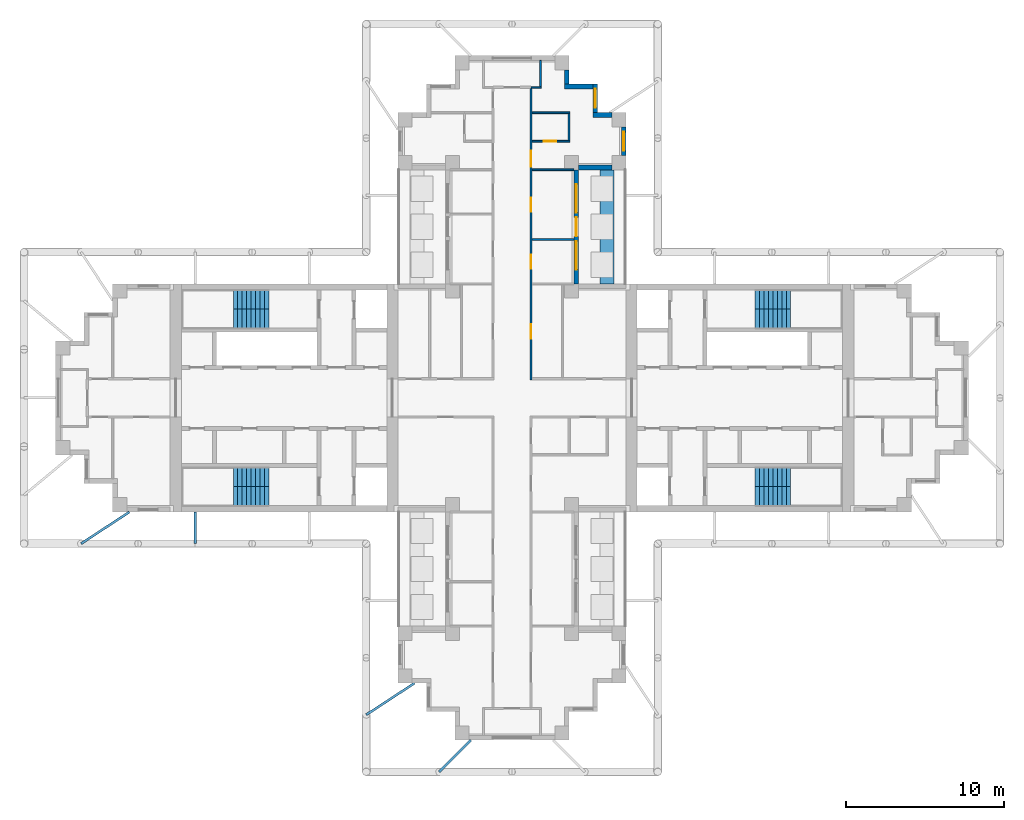
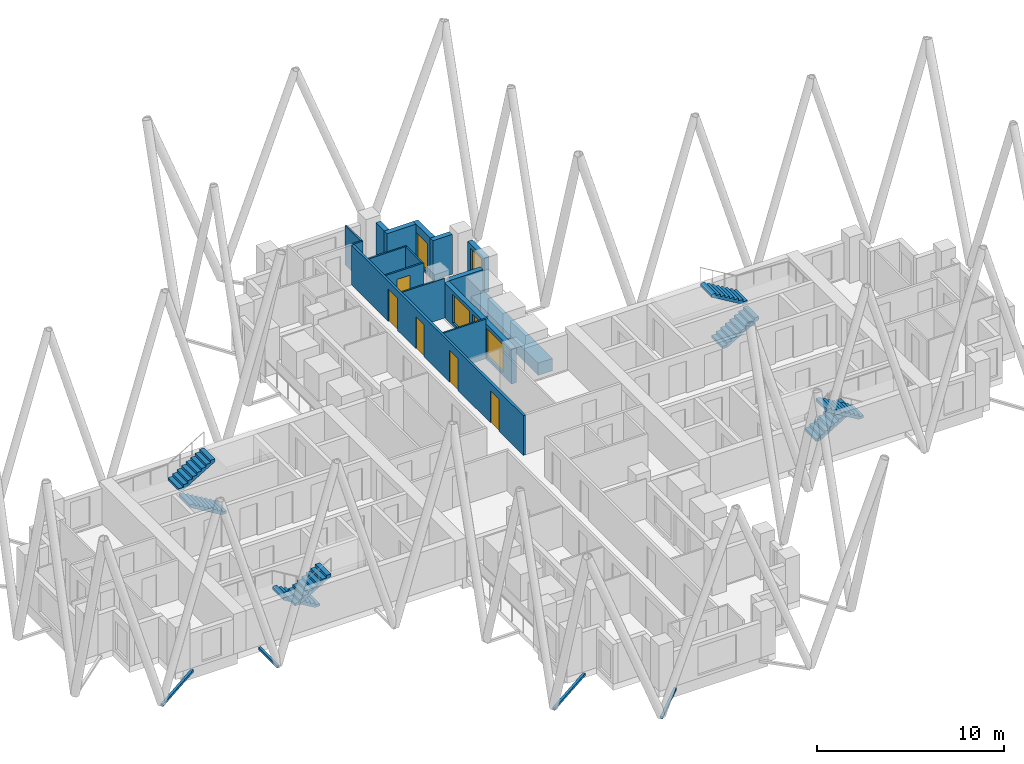
# One storey, part 8 of 11: 16 walls, 8 stair flights, 6 doors, 4 discrete accessories, 4 windows, 10 openings, 4 elements without a shape of their own.
"""IFC4 building model written with IfcOpenShell, lengths in metres."""

import ifcopenshell
import ifcopenshell.guid

model = None  # the IFC model being written
_history = None  # IfcOwnerHistory: only IFC2X3 demands one
_inside = {}  # id of a spatial element -> (the spatial element, [elements in it])
_under = {}  # id of a project, library or spatial element -> (it, [spatial elements below it])
_declared = {}  # id of a project -> (the project, [libraries it declares])
_typed = {}  # id of a type object -> (the type object, [elements of that type])
_made_of = {}  # id of a material, layer set ... -> (it, [elements and type objects made of it])


def new_model(schema):
    """Start an empty IFC model of exactly this schema.

    Asked for "IFC4X3", IfcOpenShell would pick the latest addendum, in which some entities
    have other attributes; the version numbers below select the first issue.
    IFC2X3 requires an IfcOwnerHistory on every rooted entity: one is made here for all.
    """
    global model, _history
    if schema == "IFC4X3":
        model = ifcopenshell.file(schema_version=(4, 3, 0, 0))
    else:
        model = ifcopenshell.file(schema=schema)
    _inside.clear()
    _under.clear()
    _declared.clear()
    _typed.clear()
    _made_of.clear()
    _history = None
    if model.schema == "IFC2X3":
        org = make("IfcOrganization", Name="unknown")
        user = make(
            "IfcPersonAndOrganization",
            ThePerson=make("IfcPerson", FamilyName="unknown"),
            TheOrganization=org,
        )
        app = make(
            "IfcApplication",
            ApplicationDeveloper=org,
            Version="unknown",
            ApplicationFullName="unknown",
            ApplicationIdentifier="unknown",
        )
        _history = make(
            "IfcOwnerHistory",
            OwningUser=user,
            OwningApplication=app,
            ChangeAction="ADDED",
            CreationDate=0,
        )
    return model


def make(cls, **values):
    """One entity of the class cls with the attributes given. An attribute that is None is left unset."""
    return model.create_entity(
        cls, **{name: value for name, value in values.items() if value is not None}
    )


def rooted(cls, **values):
    """An entity with a GlobalId (a new one), such as an element, a storey or a relation."""
    return make(cls, GlobalId=ifcopenshell.guid.new(), OwnerHistory=_history, **values)


def si_unit(unit_type, name, prefix=None):
    """IfcSIUnit, for example si_unit("LENGTHUNIT", "METRE", prefix="MILLI")."""
    return make("IfcSIUnit", UnitType=unit_type, Prefix=prefix, Name=name)


def assignment(units):
    """IfcUnitAssignment: the units of a project."""
    return None if units is None else make("IfcUnitAssignment", Units=units)


def point(xyz):
    """IfcCartesianPoint."""
    return None if xyz is None else make("IfcCartesianPoint", Coordinates=xyz)


def direction(xyz):
    """IfcDirection."""
    return None if xyz is None else make("IfcDirection", DirectionRatios=xyz)


def frame(location, z_axis=None, x_axis=None):
    """IfcAxis2Placement3D, a coordinate frame: its origin and axes. An axis left out is left unset."""
    return make(
        "IfcAxis2Placement3D",
        Location=point(location),
        Axis=direction(z_axis),
        RefDirection=direction(x_axis),
    )


def frame_2d(location, x_axis=None):
    """IfcAxis2Placement2D, a coordinate frame in the plane: its origin and x axis."""
    return make(
        "IfcAxis2Placement2D", Location=point(location), RefDirection=direction(x_axis)
    )


def origin():
    """The frame at (0, 0, 0) with its axes left unset."""
    return frame((0.0, 0.0, 0.0))


def origin_2d():
    """The frame at (0, 0) in the plane with its x axis left unset."""
    return frame_2d((0.0, 0.0))


def place(relative_to, where):
    """IfcLocalPlacement: puts the frame where relative to a parent placement (None: the world)."""
    return make(
        "IfcLocalPlacement", PlacementRelTo=relative_to, RelativePlacement=where
    )


def context(
    kind, dimensions, precision=None, world=None, true_north=None, identifier=None
):
    """IfcGeometricRepresentationContext, for example the 3D "Model" context."""
    return make(
        "IfcGeometricRepresentationContext",
        ContextIdentifier=identifier,
        ContextType=kind,
        CoordinateSpaceDimension=dimensions,
        Precision=precision,
        WorldCoordinateSystem=world,
        TrueNorth=true_north,
    )


def subcontext(parent, identifier, kind, view, scale=None):
    """IfcGeometricRepresentationSubContext, for example "Body" below "Model"."""
    return make(
        "IfcGeometricRepresentationSubContext",
        ContextIdentifier=identifier,
        ContextType=kind,
        ParentContext=parent,
        TargetScale=scale,
        TargetView=view,
    )


def project(units=None, contexts=None):
    """IfcProject with its units and contexts."""
    return rooted(
        "IfcProject",
        Name="project",
        RepresentationContexts=contexts,
        UnitsInContext=assignment(units),
    )


def spatial(cls, under=None, at=None, **own):
    """A site, building, storey or space (cls), placed at a placement, below another one or the project."""
    s = rooted(cls, ObjectPlacement=at, **own)
    if under is not None:
        _under.setdefault(under.id(), (under, []))[1].append(s)
    return s


def polyline(points):
    """IfcPolyline through the points."""
    return make("IfcPolyline", Points=[point(p) for p in points])


def profile(cls, at=None, kind="AREA", **sizes):
    """A parametric profile (cls). Its sizes go by their IFC names, for example OverallWidth=200.0."""
    return make(cls, ProfileType=kind, Position=at, **sizes)


def rectangle(**sizes):
    """IfcRectangleProfileDef."""
    return profile("IfcRectangleProfileDef", **sizes)


def hollow_rectangle(**sizes):
    """IfcRectangleHollowProfileDef."""
    return profile("IfcRectangleHollowProfileDef", **sizes)


def outline(outer, holes=None, kind="AREA"):
    """IfcArbitraryClosedProfileDef: a profile drawn as a closed curve; with holes, ...WithVoids."""
    if holes is None:
        return make("IfcArbitraryClosedProfileDef", ProfileType=kind, OuterCurve=outer)
    return make(
        "IfcArbitraryProfileDefWithVoids",
        ProfileType=kind,
        OuterCurve=outer,
        InnerCurves=holes,
    )


def extrude(swept, where, along, depth):
    """IfcExtrudedAreaSolid: the profile swept, set in the frame where, extruded along a direction by depth."""
    return make(
        "IfcExtrudedAreaSolid",
        SweptArea=swept,
        Position=where,
        ExtrudedDirection=direction(along),
        Depth=depth,
    )


def shape(context_of_items, identifier, shape_type, items):
    """IfcShapeRepresentation: the items that make up one representation, for example the "Body"."""
    return make(
        "IfcShapeRepresentation",
        ContextOfItems=context_of_items,
        RepresentationIdentifier=identifier,
        RepresentationType=shape_type,
        Items=items,
    )


def material(Name=None, Category=None):
    """IfcMaterial."""
    return make("IfcMaterial", Name=Name, Category=Category)


def layer(
    of_material, thickness, ventilated=None, Name=None, Category=None, Priority=None
):
    """IfcMaterialLayer: one layer of a wall or slab, of a material (None: an air gap)."""
    return make(
        "IfcMaterialLayer",
        Material=of_material,
        LayerThickness=thickness,
        IsVentilated=ventilated,
        Name=Name,
        Category=Category,
        Priority=Priority,
    )


def layer_set(layers, Name=None):
    """IfcMaterialLayerSet."""
    return make("IfcMaterialLayerSet", MaterialLayers=layers, LayerSetName=Name)


def made_of(thing, what):
    """Note that an element or type object is made of a material, layer set ...; save() writes the relation."""
    if what is not None:
        _made_of.setdefault(what.id(), (what, []))[1].append(thing)
    return thing


def type_object(cls, material=None, **own):
    """A type object (cls), such as IfcWallType, which elements share."""
    return made_of(rooted(cls, **own), material)


def element(
    cls,
    number,
    at=None,
    inside=None,
    cuts=None,
    type_object=None,
    material=None,
    context=None,
    identifier="Body",
    shape_type=None,
    held_by="IfcProductDefinitionShape",
    body=None,
    shapes=None,
    **own,
):
    """One element of the class cls, such as IfcWall. Its Tag is "e" and its number.

    at: its placement. inside: the storey or other place that contains it. cuts: it is an
    opening in that element (IfcRelVoidsElement). A single representation is given by context,
    identifier, shape_type and body (its items); several are given by shapes. held_by: the class
    of the entity that holds the representations. save() writes the other relations.
    """
    e = rooted(cls, Tag="e%d" % number, ObjectPlacement=at, **own)
    if body is not None:
        shapes = [shape(context, identifier, shape_type, body)]
    if shapes is not None:
        e.Representation = make(held_by, Representations=shapes)
    if inside is not None:
        _inside.setdefault(inside.id(), (inside, []))[1].append(e)
    if cuts is not None:
        rooted(
            "IfcRelVoidsElement", RelatingBuildingElement=cuts, RelatedOpeningElement=e
        )
    if type_object is not None:
        _typed.setdefault(type_object.id(), (type_object, []))[1].append(e)
    return made_of(e, material)


def fill(opening, filler):
    """IfcRelFillsElement: the door or window that sits in an opening."""
    return rooted(
        "IfcRelFillsElement",
        RelatingOpeningElement=opening,
        RelatedBuildingElement=filler,
    )


def aggregate(whole, parts):
    """IfcRelAggregates: a whole, such as a stair, and the parts it consists of."""
    return rooted("IfcRelAggregates", RelatingObject=whole, RelatedObjects=parts)


def save(model, path):
    """Write the relations noted so far, then the file.

    IfcRelAggregates (storeys below a building ...), IfcRelContainedInSpatialStructure (elements
    in a storey), IfcRelDefinesByType, IfcRelAssociatesMaterial and IfcRelDeclares: one each for
    every whole, place, type object, material and project.
    """
    for whole, parts in _under.values():
        aggregate(whole, parts)
    for where, things in _inside.values():
        rooted(
            "IfcRelContainedInSpatialStructure",
            RelatedElements=things,
            RelatingStructure=where,
        )
    for kind, things in _typed.values():
        rooted("IfcRelDefinesByType", RelatedObjects=things, RelatingType=kind)
    for what, things in _made_of.values():
        rooted("IfcRelAssociatesMaterial", RelatedObjects=things, RelatingMaterial=what)
    for by, libraries in _declared.values():
        rooted("IfcRelDeclares", RelatingContext=by, RelatedDefinitions=libraries)
    model.write(path)


model = new_model("IFC4")

# Units and contexts
model_context = context("Model", 3, precision=1e-05, world=origin(), true_north=direction((0.0, 1.0)))
body_context = subcontext(model_context, "Body", "Model", "MODEL_VIEW")
ifc_project = project(units=[si_unit("LENGTHUNIT", "METRE"), si_unit("AREAUNIT", "SQUARE_METRE"), si_unit("VOLUMEUNIT", "CUBIC_METRE"), si_unit("PLANEANGLEUNIT", "RADIAN"), si_unit("MASSUNIT", "GRAM", prefix="KILO")], contexts=[model_context])

# Site, building, storey
site_placement = place(None, origin())
site = spatial("IfcSite", under=ifc_project, at=site_placement, CompositionType="ELEMENT")
building_placement = place(site_placement, origin())
building = spatial("IfcBuilding", under=site, at=building_placement, Name="Fustian Cross Tower", CompositionType="ELEMENT")
storey_placement = place(building_placement, frame((0.0, 0.0, 210.89990234375)))
storey = spatial("IfcBuildingStorey", under=building, at=storey_placement, Name="L66", CompositionType="ELEMENT", Elevation=210.89990234375)

# Wall, openings, doors
ifc_material_1 = material(Name="Plasterboard on steel stud", Category="steel")
ifc_layer_1 = layer(ifc_material_1, 0.14990234375)
ifc_layer_set_1 = layer_set([ifc_layer_1], Name="Plasterboard on steel stud")
wall_type_1 = type_object("IfcWallType", Name="COMPARTMENT WALL 150 EI 60", PredefinedType="PARTITIONING", material=ifc_layer_set_1)
wall_1_placement = place(storey_placement, frame((1.199951171875, 1.125, 0.0), z_axis=(0.0, 0.0, 1.0), x_axis=(0.0, 1.0, 0.0)))
wall_1 = element("IfcWall", 1, at=wall_1_placement, inside=storey, type_object=wall_type_1, Name="Partition 38", PredefinedType="PARTITIONING", context=body_context, shape_type="SweptSolid", body=[
    extrude(rectangle(XDim=18.39990234375, YDim=0.14990234375, at=frame_2d((9.199951171875, 0.0))), origin(), (0.0, 0.0, 1.0), 2.60009765625),
])
opening_1_placement = place(wall_1_placement, frame((2.625, 0.0, 0.0)))
opening_1 = element("IfcOpeningElement", 2, at=opening_1_placement, cuts=wall_1, Name="Opening D30001", PredefinedType="OPENING", context=body_context, shape_type="SweptSolid", body=[
    extrude(rectangle(XDim=0.89990234375, YDim=2.10009765625, at=frame_2d((0.449951171875, 1.050048828125))), frame((0.0, 0.0849609375, 0.0), z_axis=(0.0, -1.0, 0.0), x_axis=(1.0, 0.0, 0.0)), (0.0, 0.0, 1.0), 0.169921875),
])
opening_2_placement = place(wall_1_placement, frame((7.02490234375, 0.0, 0.0)))
opening_2 = element("IfcOpeningElement", 3, at=opening_2_placement, cuts=wall_1, Name="Opening D30021", PredefinedType="OPENING", context=body_context, shape_type="SweptSolid", body=[
    extrude(rectangle(XDim=0.89990234375, YDim=2.10009765625, at=frame_2d((0.449951171875, 1.050048828125))), frame((0.0, 0.0849609375, 0.0), z_axis=(0.0, -1.0, 0.0), x_axis=(1.0, 0.0, 0.0)), (0.0, 0.0, 1.0), 0.169921875),
])
opening_3_placement = place(wall_1_placement, frame((10.625, 0.0, 0.0)))
opening_3 = element("IfcOpeningElement", 4, at=opening_3_placement, cuts=wall_1, Name="Opening D30022", PredefinedType="OPENING", context=body_context, shape_type="SweptSolid", body=[
    extrude(rectangle(XDim=0.89990234375, YDim=2.10009765625, at=frame_2d((0.449951171875, 1.050048828125))), frame((0.0, 0.0849609375, 0.0), z_axis=(0.0, -1.0, 0.0), x_axis=(1.0, 0.0, 0.0)), (0.0, 0.0, 1.0), 0.169921875),
])
opening_4_placement = place(wall_1_placement, frame((13.47509765625, 0.0, 0.0)))
opening_4 = element("IfcOpeningElement", 5, at=opening_4_placement, cuts=wall_1, Name="Opening D30024", PredefinedType="OPENING", context=body_context, shape_type="SweptSolid", body=[
    extrude(rectangle(XDim=1.0, YDim=2.10009765625, at=frame_2d((0.5, 1.050048828125))), frame((0.0, 0.0849609375, 0.0), z_axis=(0.0, -1.0, 0.0), x_axis=(1.0, 0.0, 0.0)), (0.0, 0.0, 1.0), 0.169921875),
])
ifc_material_2 = material(Name="Timber fire door set", Category="wood")
door_type_1 = type_object("IfcDoorType", Name="FIRE SWING DOOR 1000 FD30S", OperationType="SINGLE_SWING_LEFT", PredefinedType="DOOR", material=ifc_material_2)
door_1_placement = place(opening_4_placement, frame((1.0, 0.0, 0.0), z_axis=(0.0, 0.0, 1.0), x_axis=(-1.0, 0.0, 0.0)))
door_1 = element("IfcDoor", 6, at=door_1_placement, inside=storey, type_object=door_type_1, Name="Door D30024", OperationType="SINGLE_SWING_RIGHT", OverallHeight=2.10009765625, OverallWidth=1.0, PredefinedType="DOOR", context=body_context, shape_type="SweptSolid", body=[
    extrude(rectangle(XDim=1.0, YDim=2.10009765625, at=frame_2d((0.5, 1.050048828125))), frame((0.0, 0.02490234375, 0.0), z_axis=(0.0, -1.0, 0.0), x_axis=(1.0, 0.0, 0.0)), (0.0, 0.0, 1.0), 0.050048828125),
])
fill(opening_4, door_1)
ifc_material_3 = material(Name="Timber fire door set", Category="wood")
door_type_2 = type_object("IfcDoorType", Name="FIRE SWING DOOR 900 FD30S", OperationType="SINGLE_SWING_LEFT", PredefinedType="DOOR", material=ifc_material_3)
door_2_placement = place(opening_1_placement, frame((0.89990234375, 0.0, 0.0), z_axis=(0.0, 0.0, 1.0), x_axis=(-1.0, 0.0, 0.0)))
door_2 = element("IfcDoor", 7, at=door_2_placement, inside=storey, type_object=door_type_2, Name="Door D30001", OperationType="SINGLE_SWING_RIGHT", OverallHeight=2.10009765625, OverallWidth=0.89990234375, PredefinedType="DOOR", context=body_context, shape_type="SweptSolid", body=[
    extrude(rectangle(XDim=0.89990234375, YDim=2.10009765625, at=frame_2d((0.449951171875, 1.050048828125))), frame((0.0, 0.02490234375, 0.0), z_axis=(0.0, -1.0, 0.0), x_axis=(1.0, 0.0, 0.0)), (0.0, 0.0, 1.0), 0.050048828125),
])
fill(opening_1, door_2)
door_3_placement = place(opening_2_placement, frame((0.89990234375, 0.0, 0.0), z_axis=(0.0, 0.0, 1.0), x_axis=(-1.0, 0.0, 0.0)))
door_3 = element("IfcDoor", 8, at=door_3_placement, inside=storey, type_object=door_type_2, Name="Door D30021", OperationType="SINGLE_SWING_RIGHT", OverallHeight=2.10009765625, OverallWidth=0.89990234375, PredefinedType="DOOR", context=body_context, shape_type="SweptSolid", body=[
    extrude(rectangle(XDim=0.89990234375, YDim=2.10009765625, at=frame_2d((0.449951171875, 1.050048828125))), frame((0.0, 0.02490234375, 0.0), z_axis=(0.0, -1.0, 0.0), x_axis=(1.0, 0.0, 0.0)), (0.0, 0.0, 1.0), 0.050048828125),
])
fill(opening_2, door_3)
door_4_placement = place(opening_3_placement, frame((0.89990234375, 0.0, 0.0), z_axis=(0.0, 0.0, 1.0), x_axis=(-1.0, 0.0, 0.0)))
door_4 = element("IfcDoor", 9, at=door_4_placement, inside=storey, type_object=door_type_2, Name="Door D30022", OperationType="SINGLE_SWING_RIGHT", OverallHeight=2.10009765625, OverallWidth=0.89990234375, PredefinedType="DOOR", context=body_context, shape_type="SweptSolid", body=[
    extrude(rectangle(XDim=0.89990234375, YDim=2.10009765625, at=frame_2d((0.449951171875, 1.050048828125))), frame((0.0, 0.02490234375, 0.0), z_axis=(0.0, -1.0, 0.0), x_axis=(1.0, 0.0, 0.0)), (0.0, 0.0, 1.0), 0.050048828125),
])
fill(opening_3, door_4)

# Walls
ifc_material_4 = material(Name="Plasterboard on steel stud", Category="steel")
ifc_layer_2 = layer(ifc_material_4, 0.10009765625)
ifc_layer_set_2 = layer_set([ifc_layer_2], Name="Plasterboard on steel stud")
wall_type_2 = type_object("IfcWallType", Name="PARTITION 100 STUD", PredefinedType="PARTITIONING", material=ifc_layer_set_2)
for number, where, z_axis, x_axis, name in (
    (10, (1.27490234375, 10.0, 0.0), (0.0, 0.0, 1.0), (1.0, 0.0, 0.0), "Partition 41"),
    (11, (1.27490234375, 14.39990234375, 0.0), (0.0, 0.0, 1.0), (1.0, 0.0, 0.0), "Partition 42"),
):
    element("IfcWall", number, at=place(storey_placement, frame(where, z_axis=z_axis, x_axis=x_axis)), inside=storey, type_object=wall_type_2, Name=name, PredefinedType="PARTITIONING", context=body_context, shape_type="SweptSolid", body=[
        extrude(rectangle(XDim=2.625, YDim=0.10009765625, at=frame_2d((1.3125, 0.0))), origin(), (0.0, 0.0, 1.0), 2.60009765625),
    ])

# Wall, opening, door
wall_2_placement = place(storey_placement, frame((1.27490234375, 16.199951171875, 0.0), z_axis=(0.0, 0.0, 1.0), x_axis=(1.0, 0.0, 0.0)))
wall_2 = element("IfcWall", 12, at=wall_2_placement, inside=storey, type_object=wall_type_2, Name="Partition 43", PredefinedType="PARTITIONING", context=body_context, shape_type="SweptSolid", body=[
    extrude(rectangle(XDim=2.375, YDim=0.10009765625, at=frame_2d((1.1875, 0.0))), origin(), (0.0, 0.0, 1.0), 2.60009765625),
])
opening_5_placement = place(wall_2_placement, frame((0.72509765625, 0.0, 0.0)))
opening_5 = element("IfcOpeningElement", 13, at=opening_5_placement, cuts=wall_2, Name="Opening D30023", PredefinedType="OPENING", context=body_context, shape_type="SweptSolid", body=[
    extrude(rectangle(XDim=0.800048828125, YDim=2.10009765625, at=frame_2d((0.39990234375, 1.050048828125))), frame((0.0, 0.06005859375, 0.0), z_axis=(0.0, -1.0, 0.0), x_axis=(1.0, 0.0, 0.0)), (0.0, 0.0, 1.0), 0.1201171875),
])
ifc_material_5 = material(Name="Painted timber", Category="wood")
door_type_3 = type_object("IfcDoorType", Name="SWING DOOR 800", OperationType="SINGLE_SWING_LEFT", PredefinedType="DOOR", material=ifc_material_5)
door_5_placement = place(opening_5_placement, origin())
door_5 = element("IfcDoor", 14, at=door_5_placement, inside=storey, type_object=door_type_3, Name="Door D30023", OperationType="SINGLE_SWING_LEFT", OverallHeight=2.10009765625, OverallWidth=0.800048828125, PredefinedType="DOOR", context=body_context, shape_type="SweptSolid", body=[
    extrude(rectangle(XDim=0.800048828125, YDim=2.10009765625, at=frame_2d((0.39990234375, 1.050048828125))), frame((0.0, 0.02490234375, 0.0), z_axis=(0.0, -1.0, 0.0), x_axis=(1.0, 0.0, 0.0)), (0.0, 0.0, 1.0), 0.050048828125),
])
fill(opening_5, door_5)

# Walls
wall_3_placement = place(storey_placement, frame((1.27490234375, 18.0, 0.0), z_axis=(0.0, 0.0, 1.0), x_axis=(1.0, 0.0, 0.0)))
element("IfcWall", 15, at=wall_3_placement, inside=storey, type_object=wall_type_2, Name="Partition 44", PredefinedType="PARTITIONING", context=body_context, shape_type="SweptSolid", body=[
    extrude(rectangle(XDim=2.375, YDim=0.10009765625, at=frame_2d((1.1875, 0.0))), origin(), (0.0, 0.0, 1.0), 2.60009765625),
])
wall_4_placement = place(storey_placement, frame((1.199951171875, 19.60009765625, 0.0), z_axis=(0.0, 0.0, 1.0), x_axis=(1.0, 0.0, 0.0)))
element("IfcWall", 16, at=wall_4_placement, inside=storey, type_object=wall_type_2, Name="Partition 45", PredefinedType="PARTITIONING", context=body_context, shape_type="SweptSolid", body=[
    extrude(rectangle(XDim=0.650146484375, YDim=0.10009765625, at=frame_2d((0.3251953125, 0.0))), origin(), (0.0, 0.0, 1.0), 2.60009765625),
])
wall_5_placement = place(storey_placement, frame((1.800048828125, 19.64990234375, 0.0), z_axis=(0.0, 0.0, 1.0), x_axis=(0.0, 1.0, 0.0)))
element("IfcWall", 17, at=wall_5_placement, inside=storey, type_object=wall_type_2, Name="Partition 47", PredefinedType="PARTITIONING", context=body_context, shape_type="SweptSolid", body=[
    extrude(rectangle(XDim=1.650146484375, YDim=0.10009765625, at=frame_2d((0.8251953125, 0.0))), origin(), (0.0, 0.0, 1.0), 2.60009765625),
])
wall_6_placement = place(storey_placement, frame((3.60009765625, 16.25, 0.0), z_axis=(0.0, 0.0, 1.0), x_axis=(0.0, 1.0, 0.0)))
element("IfcWall", 18, at=wall_6_placement, inside=storey, type_object=wall_type_2, Name="Partition 50", PredefinedType="PARTITIONING", context=body_context, shape_type="SweptSolid", body=[
    extrude(rectangle(XDim=1.699951171875, YDim=0.10009765625, at=frame_2d((0.85009765625, 0.0))), origin(), (0.0, 0.0, 1.0), 2.60009765625),
])
ifc_material_6 = material(Name="Concrete C40/50", Category="concrete")
ifc_layer_3 = layer(ifc_material_6, 0.89990234375)
ifc_layer_set_3 = layer_set([ifc_layer_3], Name="Concrete C40/50")
wall_type_3 = type_object("IfcWallType", Name="PK1 PLANTER 900", PredefinedType="PARAPET", material=ifc_layer_set_3)
wall_7_placement = place(storey_placement, frame((6.0, 7.199951171875, 0.0), z_axis=(0.0, 0.0, 1.0), x_axis=(0.0, 1.0, 0.0)))
element("IfcWall", 19, at=wall_7_placement, inside=storey, type_object=wall_type_3, Name="PLANTER", PredefinedType="PARAPET", context=body_context, shape_type="SweptSolid", body=[
    extrude(rectangle(XDim=7.199951171875, YDim=0.89990234375, at=frame_2d((3.60009765625, 0.0))), origin(), (0.0, 0.0, 1.0), 0.800048828125),
])

# Wall, openings, door, windows
ifc_material_7 = material(Name="Dark aluminium cladding on insulated backing wall", Category="aluminium")
ifc_layer_4 = layer(ifc_material_7, 0.300048828125)
ifc_layer_set_4 = layer_set([ifc_layer_4], Name="Dark aluminium cladding on insulated backing wall")
wall_type_4 = type_object("IfcWallType", Name="XW1 EXTERNAL WALL 300", PredefinedType="SOLIDWALL", material=ifc_layer_set_4)
wall_8_placement = place(storey_placement, frame((4.050048828125, 7.199951171875, 0.0), z_axis=(0.0, 0.0, 1.0), x_axis=(0.0, 1.0, 0.0)))
wall_8 = element("IfcWall", 20, at=wall_8_placement, inside=storey, type_object=wall_type_4, Name="External wall", PredefinedType="SOLIDWALL", context=body_context, shape_type="SweptSolid", body=[
    extrude(rectangle(XDim=7.199951171875, YDim=0.300048828125, at=frame_2d((3.60009765625, 0.0))), origin(), (0.0, 0.0, 1.0), 2.300048828125),
])
opening_6_placement = place(wall_8_placement, frame((3.0, 0.0, 0.0)))
opening_6 = element("IfcOpeningElement", 21, at=opening_6_placement, cuts=wall_8, Name="Opening XD1", PredefinedType="OPENING", context=body_context, shape_type="SweptSolid", body=[
    extrude(rectangle(XDim=1.199951171875, YDim=2.050048828125, at=frame_2d((0.60009765625, 1.02490234375))), frame((0.0, 0.159912109375, 0.0), z_axis=(0.0, -1.0, 0.0), x_axis=(1.0, 0.0, 0.0)), (0.0, 0.0, 1.0), 0.320068359375),
])
opening_7_placement = place(wall_8_placement, frame((0.89990234375, 0.0, 0.199951171875)))
opening_7 = element("IfcOpeningElement", 22, at=opening_7_placement, cuts=wall_8, Name="Opening WN2", PredefinedType="OPENING", context=body_context, shape_type="SweptSolid", body=[
    extrude(rectangle(XDim=1.800048828125, YDim=1.85009765625, at=frame_2d((0.89990234375, 0.925048828125))), frame((0.0, 0.159912109375, 0.0), z_axis=(0.0, -1.0, 0.0), x_axis=(1.0, 0.0, 0.0)), (0.0, 0.0, 1.0), 0.320068359375),
])
opening_8_placement = place(wall_8_placement, frame((4.5, 0.0, 0.199951171875)))
opening_8 = element("IfcOpeningElement", 23, at=opening_8_placement, cuts=wall_8, Name="Opening WN2", PredefinedType="OPENING", context=body_context, shape_type="SweptSolid", body=[
    extrude(rectangle(XDim=1.800048828125, YDim=1.85009765625, at=frame_2d((0.89990234375, 0.925048828125))), frame((0.0, 0.159912109375, 0.0), z_axis=(0.0, -1.0, 0.0), x_axis=(1.0, 0.0, 0.0)), (0.0, 0.0, 1.0), 0.320068359375),
])
ifc_material_8 = material(Name="Dark anodised aluminium and double glazing", Category="aluminium")
door_type_4 = type_object("IfcDoorType", Name="ED1 BALCONY DOOR 1200X2050", OperationType="SINGLE_SWING_LEFT", PredefinedType="DOOR", material=ifc_material_8)
door_6_placement = place(opening_6_placement, origin())
door_6 = element("IfcDoor", 24, at=door_6_placement, inside=storey, type_object=door_type_4, Name="Balcony door", OperationType="SINGLE_SWING_LEFT", OverallHeight=2.050048828125, OverallWidth=1.199951171875, PredefinedType="DOOR", context=body_context, shape_type="SweptSolid", body=[
    extrude(rectangle(XDim=1.199951171875, YDim=2.050048828125, at=frame_2d((0.60009765625, 1.02490234375))), frame((0.0, 0.02490234375, 0.0), z_axis=(0.0, -1.0, 0.0), x_axis=(1.0, 0.0, 0.0)), (0.0, 0.0, 1.0), 0.050048828125),
])
fill(opening_6, door_6)
ifc_material_9 = material(Name="Dark anodised aluminium and double glazing", Category="aluminium")
window_type_1 = type_object("IfcWindowType", Name="WN2 WINDOW 1800X1850", PartitioningType="SINGLE_PANEL", PredefinedType="WINDOW", material=ifc_material_9)
window_1_placement = place(opening_7_placement, origin())
window_1 = element("IfcWindow", 25, at=window_1_placement, inside=storey, type_object=window_type_1, Name="Window", OverallHeight=1.85009765625, OverallWidth=1.800048828125, PartitioningType="SINGLE_PANEL", PredefinedType="WINDOW", context=body_context, shape_type="SweptSolid", body=[
    extrude(rectangle(XDim=1.800048828125, YDim=1.85009765625, at=frame_2d((0.89990234375, 0.925048828125))), frame((0.0, 0.030029296875, 0.0), z_axis=(0.0, -1.0, 0.0), x_axis=(1.0, 0.0, 0.0)), (0.0, 0.0, 1.0), 0.06005859375),
])
fill(opening_7, window_1)
window_2_placement = place(opening_8_placement, origin())
window_2 = element("IfcWindow", 26, at=window_2_placement, inside=storey, type_object=window_type_1, Name="Window", OverallHeight=1.85009765625, OverallWidth=1.800048828125, PartitioningType="SINGLE_PANEL", PredefinedType="WINDOW", context=body_context, shape_type="SweptSolid", body=[
    extrude(rectangle(XDim=1.800048828125, YDim=1.85009765625, at=frame_2d((0.89990234375, 0.925048828125))), frame((0.0, 0.030029296875, 0.0), z_axis=(0.0, -1.0, 0.0), x_axis=(1.0, 0.0, 0.0)), (0.0, 0.0, 1.0), 0.06005859375),
])
fill(opening_8, window_2)

# Wall
wall_9_placement = place(storey_placement, frame((4.199951171875, 14.550048828125, 0.0), z_axis=(0.0, 0.0, 1.0), x_axis=(1.0, 0.0, 0.0)))
element("IfcWall", 27, at=wall_9_placement, inside=storey, type_object=wall_type_4, Name="External wall", PredefinedType="SOLIDWALL", context=body_context, shape_type="SweptSolid", body=[
    extrude(rectangle(XDim=2.10009765625, YDim=0.300048828125, at=frame_2d((1.050048828125, 0.0))), origin(), (0.0, 0.0, 1.0), 2.300048828125),
])

# Wall, opening, window
wall_10_placement = place(storey_placement, frame((7.050048828125, 15.300048828125, 0.0), z_axis=(0.0, 0.0, 1.0), x_axis=(0.0, 1.0, 0.0)))
wall_10 = element("IfcWall", 28, at=wall_10_placement, inside=storey, type_object=wall_type_4, Name="External wall", PredefinedType="SOLIDWALL", context=body_context, shape_type="SweptSolid", body=[
    extrude(rectangle(XDim=1.800048828125, YDim=0.300048828125, at=frame_2d((0.89990234375, 0.0))), origin(), (0.0, 0.0, 1.0), 2.300048828125),
])
opening_9_placement = place(wall_10_placement, frame((0.300048828125, 0.0, 0.199951171875)))
opening_9 = element("IfcOpeningElement", 29, at=opening_9_placement, cuts=wall_10, Name="Opening WN3", PredefinedType="OPENING", context=body_context, shape_type="SweptSolid", body=[
    extrude(rectangle(XDim=1.199951171875, YDim=1.85009765625, at=frame_2d((0.60009765625, 0.925048828125))), frame((0.0, 0.159912109375, 0.0), z_axis=(0.0, -1.0, 0.0), x_axis=(1.0, 0.0, 0.0)), (0.0, 0.0, 1.0), 0.320068359375),
])
ifc_material_10 = material(Name="Dark anodised aluminium and double glazing", Category="aluminium")
window_type_2 = type_object("IfcWindowType", Name="WN3 WINDOW 1200X1850", PartitioningType="SINGLE_PANEL", PredefinedType="WINDOW", material=ifc_material_10)
window_3_placement = place(opening_9_placement, origin())
window_3 = element("IfcWindow", 30, at=window_3_placement, inside=storey, type_object=window_type_2, Name="Window", OverallHeight=1.85009765625, OverallWidth=1.199951171875, PartitioningType="SINGLE_PANEL", PredefinedType="WINDOW", context=body_context, shape_type="SweptSolid", body=[
    extrude(rectangle(XDim=1.199951171875, YDim=1.85009765625, at=frame_2d((0.60009765625, 0.925048828125))), frame((0.0, 0.030029296875, 0.0), z_axis=(0.0, -1.0, 0.0), x_axis=(1.0, 0.0, 0.0)), (0.0, 0.0, 1.0), 0.06005859375),
])
fill(opening_9, window_3)

# Wall
wall_11_placement = place(storey_placement, frame((6.300048828125, 17.85009765625, 0.0), z_axis=(0.0, 0.0, 1.0), x_axis=(-1.0, 0.0, 0.0)))
element("IfcWall", 31, at=wall_11_placement, inside=storey, type_object=wall_type_4, Name="External wall", PredefinedType="SOLIDWALL", context=body_context, shape_type="SweptSolid", body=[
    extrude(rectangle(XDim=1.199951171875, YDim=0.300048828125, at=frame_2d((0.60009765625, 0.0))), origin(), (0.0, 0.0, 1.0), 2.60009765625),
])

# Wall, opening, window
wall_12_placement = place(storey_placement, frame((5.25, 18.0, 0.0), z_axis=(0.0, 0.0, 1.0), x_axis=(0.0, 1.0, 0.0)))
wall_12 = element("IfcWall", 32, at=wall_12_placement, inside=storey, type_object=wall_type_4, Name="External wall", PredefinedType="SOLIDWALL", context=body_context, shape_type="SweptSolid", body=[
    extrude(rectangle(XDim=1.800048828125, YDim=0.300048828125, at=frame_2d((0.89990234375, 0.0))), origin(), (0.0, 0.0, 1.0), 2.60009765625),
])
opening_10_placement = place(wall_12_placement, frame((0.300048828125, 0.0, 0.199951171875)))
opening_10 = element("IfcOpeningElement", 33, at=opening_10_placement, cuts=wall_12, Name="Opening WN3", PredefinedType="OPENING", context=body_context, shape_type="SweptSolid", body=[
    extrude(rectangle(XDim=1.199951171875, YDim=1.85009765625, at=frame_2d((0.60009765625, 0.925048828125))), frame((0.0, 0.159912109375, 0.0), z_axis=(0.0, -1.0, 0.0), x_axis=(1.0, 0.0, 0.0)), (0.0, 0.0, 1.0), 0.320068359375),
])
window_4_placement = place(opening_10_placement, origin())
window_4 = element("IfcWindow", 34, at=window_4_placement, inside=storey, type_object=window_type_2, Name="Window", OverallHeight=1.85009765625, OverallWidth=1.199951171875, PartitioningType="SINGLE_PANEL", PredefinedType="WINDOW", context=body_context, shape_type="SweptSolid", body=[
    extrude(rectangle(XDim=1.199951171875, YDim=1.85009765625, at=frame_2d((0.60009765625, 0.925048828125))), frame((0.0, 0.030029296875, 0.0), z_axis=(0.0, -1.0, 0.0), x_axis=(1.0, 0.0, 0.0)), (0.0, 0.0, 1.0), 0.06005859375),
])
fill(opening_10, window_4)

# Walls
wall_13_placement = place(storey_placement, frame((5.10009765625, 19.64990234375, 0.0), z_axis=(0.0, 0.0, 1.0), x_axis=(-1.0, 0.0, 0.0)))
element("IfcWall", 35, at=wall_13_placement, inside=storey, type_object=wall_type_4, Name="External wall", PredefinedType="SOLIDWALL", context=body_context, shape_type="SweptSolid", body=[
    extrude(rectangle(XDim=1.800048828125, YDim=0.300048828125, at=frame_2d((0.89990234375, 0.0))), origin(), (0.0, 0.0, 1.0), 2.60009765625),
])
wall_14_placement = place(storey_placement, frame((3.449951171875, 19.800048828125, 0.0), z_axis=(0.0, 0.0, 1.0), x_axis=(0.0, 1.0, 0.0)))
element("IfcWall", 36, at=wall_14_placement, inside=storey, type_object=wall_type_4, Name="External wall", PredefinedType="SOLIDWALL", context=body_context, shape_type="SweptSolid", body=[
    extrude(rectangle(XDim=0.89990234375, YDim=0.300048828125, at=frame_2d((0.449951171875, 0.0))), origin(), (0.0, 0.0, 1.0), 2.60009765625),
])

# Stair, stair flights
ifc_material_11 = material(Name="Concrete C50/60", Category="concrete")
stair_type = type_object("IfcStairType", Name="STAIR 1200 HALF TURN", PredefinedType="HALF_TURN_STAIR", material=ifc_material_11)
stair_1_placement = place(storey_placement, origin())
stair_1 = element("IfcStair", 37, at=stair_1_placement, inside=storey, type_object=stair_type, Name="Stair ST1", PredefinedType="HALF_TURN_STAIR")
ifc_material_12 = material(Name="Concrete C50/60", Category="concrete")
stair_flight_type = type_object("IfcStairFlightType", Name="STAIR FLIGHT 1200", PredefinedType="STRAIGHT", material=ifc_material_12)
stair_flight_1_placement = place(storey_placement, frame((15.35009765625, 5.0, 0.0), z_axis=(0.0, 0.0, 1.0), x_axis=(1.0, 0.0, 0.0)))
stair_flight_1 = element("IfcStairFlight", 38, at=stair_flight_1_placement, type_object=stair_flight_type, Name="ST1 flight 1", NumberOfRisers=9, NumberOfTreads=8, PredefinedType="STRAIGHT", RiserHeight=0.166666667, TreadLength=0.28, context=body_context, shape_type="SweptSolid", body=[
    extrude(outline(polyline([(0.0, 0.0), (0.0, 0.166748046875), (0.280029296875, 0.166748046875), (0.280029296875, 0.333251953125), (0.56005859375, 0.333251953125), (0.56005859375, 0.5), (0.840087890625, 0.5), (0.840087890625, 0.666748046875), (1.1201171875, 0.666748046875), (1.1201171875, 0.833251953125), (1.39990234375, 0.833251953125), (1.39990234375, 1.0), (1.679931640625, 1.0), (1.679931640625, 1.166748046875), (1.9599609375, 1.166748046875), (1.9599609375, 1.333251953125), (2.239990234375, 1.333251953125), (2.239990234375, 1.5), (2.239990234375, 1.158935546875), (0.29296875, 0.0), (0.0, 0.0)])), frame((0.0, 0.60009765625, 0.0), z_axis=(0.0, -1.0, 0.0), x_axis=(1.0, 0.0, 0.0)), (0.0, 0.0, 1.0), 1.199951171875),
])
stair_flight_2_placement = place(storey_placement, frame((17.590087890625, 6.199951171875, 1.5), z_axis=(0.0, 0.0, 1.0), x_axis=(-1.0, 0.0, 0.0)))
stair_flight_2 = element("IfcStairFlight", 39, at=stair_flight_2_placement, type_object=stair_flight_type, Name="ST1 flight 2", NumberOfRisers=9, NumberOfTreads=8, PredefinedType="STRAIGHT", RiserHeight=0.166666667, TreadLength=0.28, context=body_context, shape_type="SweptSolid", body=[
    extrude(outline(polyline([(0.0, 0.0), (0.0, 0.166748046875), (0.280029296875, 0.166748046875), (0.280029296875, 0.333251953125), (0.56005859375, 0.333251953125), (0.56005859375, 0.5), (0.840087890625, 0.5), (0.840087890625, 0.666748046875), (1.1201171875, 0.666748046875), (1.1201171875, 0.833251953125), (1.39990234375, 0.833251953125), (1.39990234375, 1.0), (1.679931640625, 1.0), (1.679931640625, 1.166748046875), (1.9599609375, 1.166748046875), (1.9599609375, 1.333251953125), (2.239990234375, 1.333251953125), (2.239990234375, 1.5), (2.239990234375, 1.158935546875), (0.29296875, 0.0), (0.0, 0.0)])), frame((0.0, 0.60009765625, 0.0), z_axis=(0.0, -1.0, 0.0), x_axis=(1.0, 0.0, 0.0)), (0.0, 0.0, 1.0), 1.199951171875),
])
aggregate(stair_1, [stair_flight_1, stair_flight_2])

stair_2_placement = place(storey_placement, origin())
stair_2 = element("IfcStair", 40, at=stair_2_placement, inside=storey, type_object=stair_type, Name="Stair ST2", PredefinedType="HALF_TURN_STAIR")
stair_flight_3_placement = place(storey_placement, frame((15.35009765625, -5.0, 0.0), z_axis=(0.0, 0.0, 1.0), x_axis=(1.0, 0.0, 0.0)))
stair_flight_3 = element("IfcStairFlight", 41, at=stair_flight_3_placement, type_object=stair_flight_type, Name="ST2 flight 1", NumberOfRisers=9, NumberOfTreads=8, PredefinedType="STRAIGHT", RiserHeight=0.166666667, TreadLength=0.28, context=body_context, shape_type="SweptSolid", body=[
    extrude(outline(polyline([(0.0, 0.0), (0.0, 0.166748046875), (0.280029296875, 0.166748046875), (0.280029296875, 0.333251953125), (0.56005859375, 0.333251953125), (0.56005859375, 0.5), (0.840087890625, 0.5), (0.840087890625, 0.666748046875), (1.1201171875, 0.666748046875), (1.1201171875, 0.833251953125), (1.39990234375, 0.833251953125), (1.39990234375, 1.0), (1.679931640625, 1.0), (1.679931640625, 1.166748046875), (1.9599609375, 1.166748046875), (1.9599609375, 1.333251953125), (2.239990234375, 1.333251953125), (2.239990234375, 1.5), (2.239990234375, 1.158935546875), (0.29296875, 0.0), (0.0, 0.0)])), frame((0.0, 0.60009765625, 0.0), z_axis=(0.0, -1.0, 0.0), x_axis=(1.0, 0.0, 0.0)), (0.0, 0.0, 1.0), 1.199951171875),
])
stair_flight_4_placement = place(storey_placement, frame((17.590087890625, -6.199951171875, 1.5), z_axis=(0.0, 0.0, 1.0), x_axis=(-1.0, 0.0, 0.0)))
stair_flight_4 = element("IfcStairFlight", 42, at=stair_flight_4_placement, type_object=stair_flight_type, Name="ST2 flight 2", NumberOfRisers=9, NumberOfTreads=8, PredefinedType="STRAIGHT", RiserHeight=0.166666667, TreadLength=0.28, context=body_context, shape_type="SweptSolid", body=[
    extrude(outline(polyline([(0.0, 0.0), (0.0, 0.166748046875), (0.280029296875, 0.166748046875), (0.280029296875, 0.333251953125), (0.56005859375, 0.333251953125), (0.56005859375, 0.5), (0.840087890625, 0.5), (0.840087890625, 0.666748046875), (1.1201171875, 0.666748046875), (1.1201171875, 0.833251953125), (1.39990234375, 0.833251953125), (1.39990234375, 1.0), (1.679931640625, 1.0), (1.679931640625, 1.166748046875), (1.9599609375, 1.166748046875), (1.9599609375, 1.333251953125), (2.239990234375, 1.333251953125), (2.239990234375, 1.5), (2.239990234375, 1.158935546875), (0.29296875, 0.0), (0.0, 0.0)])), frame((0.0, 0.60009765625, 0.0), z_axis=(0.0, -1.0, 0.0), x_axis=(1.0, 0.0, 0.0)), (0.0, 0.0, 1.0), 1.199951171875),
])
aggregate(stair_2, [stair_flight_3, stair_flight_4])

stair_3_placement = place(storey_placement, origin())
stair_3 = element("IfcStair", 43, at=stair_3_placement, inside=storey, type_object=stair_type, Name="Stair ST3", PredefinedType="HALF_TURN_STAIR")
stair_flight_5_placement = place(storey_placement, frame((-15.35009765625, 5.0, 0.0), z_axis=(0.0, 0.0, 1.0), x_axis=(-1.0, 0.0, 0.0)))
stair_flight_5 = element("IfcStairFlight", 44, at=stair_flight_5_placement, type_object=stair_flight_type, Name="ST3 flight 1", NumberOfRisers=9, NumberOfTreads=8, PredefinedType="STRAIGHT", RiserHeight=0.166666667, TreadLength=0.28, context=body_context, shape_type="SweptSolid", body=[
    extrude(outline(polyline([(0.0, 0.0), (0.0, 0.166748046875), (0.280029296875, 0.166748046875), (0.280029296875, 0.333251953125), (0.56005859375, 0.333251953125), (0.56005859375, 0.5), (0.840087890625, 0.5), (0.840087890625, 0.666748046875), (1.1201171875, 0.666748046875), (1.1201171875, 0.833251953125), (1.39990234375, 0.833251953125), (1.39990234375, 1.0), (1.679931640625, 1.0), (1.679931640625, 1.166748046875), (1.9599609375, 1.166748046875), (1.9599609375, 1.333251953125), (2.239990234375, 1.333251953125), (2.239990234375, 1.5), (2.239990234375, 1.158935546875), (0.29296875, 0.0), (0.0, 0.0)])), frame((0.0, 0.60009765625, 0.0), z_axis=(0.0, -1.0, 0.0), x_axis=(1.0, 0.0, 0.0)), (0.0, 0.0, 1.0), 1.199951171875),
])
stair_flight_6_placement = place(storey_placement, frame((-17.590087890625, 6.199951171875, 1.5), z_axis=(0.0, 0.0, 1.0), x_axis=(1.0, 0.0, 0.0)))
stair_flight_6 = element("IfcStairFlight", 45, at=stair_flight_6_placement, type_object=stair_flight_type, Name="ST3 flight 2", NumberOfRisers=9, NumberOfTreads=8, PredefinedType="STRAIGHT", RiserHeight=0.166666667, TreadLength=0.28, context=body_context, shape_type="SweptSolid", body=[
    extrude(outline(polyline([(0.0, 0.0), (0.0, 0.166748046875), (0.280029296875, 0.166748046875), (0.280029296875, 0.333251953125), (0.56005859375, 0.333251953125), (0.56005859375, 0.5), (0.840087890625, 0.5), (0.840087890625, 0.666748046875), (1.1201171875, 0.666748046875), (1.1201171875, 0.833251953125), (1.39990234375, 0.833251953125), (1.39990234375, 1.0), (1.679931640625, 1.0), (1.679931640625, 1.166748046875), (1.9599609375, 1.166748046875), (1.9599609375, 1.333251953125), (2.239990234375, 1.333251953125), (2.239990234375, 1.5), (2.239990234375, 1.158935546875), (0.29296875, 0.0), (0.0, 0.0)])), frame((0.0, 0.60009765625, 0.0), z_axis=(0.0, -1.0, 0.0), x_axis=(1.0, 0.0, 0.0)), (0.0, 0.0, 1.0), 1.199951171875),
])
aggregate(stair_3, [stair_flight_5, stair_flight_6])

stair_4_placement = place(storey_placement, origin())
stair_4 = element("IfcStair", 46, at=stair_4_placement, inside=storey, type_object=stair_type, Name="Stair ST4", PredefinedType="HALF_TURN_STAIR")
stair_flight_7_placement = place(storey_placement, frame((-15.35009765625, -5.0, 0.0), z_axis=(0.0, 0.0, 1.0), x_axis=(-1.0, 0.0, 0.0)))
stair_flight_7 = element("IfcStairFlight", 47, at=stair_flight_7_placement, type_object=stair_flight_type, Name="ST4 flight 1", NumberOfRisers=9, NumberOfTreads=8, PredefinedType="STRAIGHT", RiserHeight=0.166666667, TreadLength=0.28, context=body_context, shape_type="SweptSolid", body=[
    extrude(outline(polyline([(0.0, 0.0), (0.0, 0.166748046875), (0.280029296875, 0.166748046875), (0.280029296875, 0.333251953125), (0.56005859375, 0.333251953125), (0.56005859375, 0.5), (0.840087890625, 0.5), (0.840087890625, 0.666748046875), (1.1201171875, 0.666748046875), (1.1201171875, 0.833251953125), (1.39990234375, 0.833251953125), (1.39990234375, 1.0), (1.679931640625, 1.0), (1.679931640625, 1.166748046875), (1.9599609375, 1.166748046875), (1.9599609375, 1.333251953125), (2.239990234375, 1.333251953125), (2.239990234375, 1.5), (2.239990234375, 1.158935546875), (0.29296875, 0.0), (0.0, 0.0)])), frame((0.0, 0.60009765625, 0.0), z_axis=(0.0, -1.0, 0.0), x_axis=(1.0, 0.0, 0.0)), (0.0, 0.0, 1.0), 1.199951171875),
])
stair_flight_8_placement = place(storey_placement, frame((-17.590087890625, -6.199951171875, 1.5), z_axis=(0.0, 0.0, 1.0), x_axis=(1.0, 0.0, 0.0)))
stair_flight_8 = element("IfcStairFlight", 48, at=stair_flight_8_placement, type_object=stair_flight_type, Name="ST4 flight 2", NumberOfRisers=9, NumberOfTreads=8, PredefinedType="STRAIGHT", RiserHeight=0.166666667, TreadLength=0.28, context=body_context, shape_type="SweptSolid", body=[
    extrude(outline(polyline([(0.0, 0.0), (0.0, 0.166748046875), (0.280029296875, 0.166748046875), (0.280029296875, 0.333251953125), (0.56005859375, 0.333251953125), (0.56005859375, 0.5), (0.840087890625, 0.5), (0.840087890625, 0.666748046875), (1.1201171875, 0.666748046875), (1.1201171875, 0.833251953125), (1.39990234375, 0.833251953125), (1.39990234375, 1.0), (1.679931640625, 1.0), (1.679931640625, 1.166748046875), (1.9599609375, 1.166748046875), (1.9599609375, 1.333251953125), (2.239990234375, 1.333251953125), (2.239990234375, 1.5), (2.239990234375, 1.158935546875), (0.29296875, 0.0), (0.0, 0.0)])), frame((0.0, 0.60009765625, 0.0), z_axis=(0.0, -1.0, 0.0), x_axis=(1.0, 0.0, 0.0)), (0.0, 0.0, 1.0), 1.199951171875),
])
aggregate(stair_4, [stair_flight_7, stair_flight_8])

# Discrete accessories
ifc_material_13 = material(Name="Steel S355", Category="steel")
discrete_accessory_1_placement = place(storey_placement, frame((-27.199951171875, -9.199951171875, -0.14990234375), z_axis=(0.836248392914, 0.548350823241, 0.0), x_axis=(-0.548350823241, 0.836248392914, 0.0)))
element("IfcDiscreteAccessory", 49, at=discrete_accessory_1_placement, inside=storey, material=ifc_material_13, Name="Diagrid node bracket L66-17", PredefinedType="BRACKET", context=body_context, shape_type="SweptSolid", body=[
    extrude(hollow_rectangle(XDim=0.14990234375, YDim=0.14990234375, WallThickness=0.010009765625, at=origin_2d()), origin(), (0.0, 0.0, 1.0), 3.647216796875),
])
discrete_accessory_2_placement = place(storey_placement, frame((-20.0, -9.199951171875, -0.14990234375), z_axis=(0.0, 1.0, 0.0), x_axis=(-1.0, 0.0, 0.0)))
element("IfcDiscreteAccessory", 50, at=discrete_accessory_2_placement, inside=storey, material=ifc_material_13, Name="Diagrid node bracket L66-18", PredefinedType="BRACKET", context=body_context, shape_type="SweptSolid", body=[
    extrude(hollow_rectangle(XDim=0.14990234375, YDim=0.14990234375, WallThickness=0.010009765625, at=origin_2d()), origin(), (0.0, 0.0, 1.0), 2.0),
])
discrete_accessory_3_placement = place(storey_placement, frame((-9.199951171875, -20.0, -0.14990234375), z_axis=(0.836248392914, 0.548350823241, 0.0), x_axis=(-0.548350823241, 0.836248392914, 0.0)))
element("IfcDiscreteAccessory", 51, at=discrete_accessory_3_placement, inside=storey, material=ifc_material_13, Name="Diagrid node bracket L66-21", PredefinedType="BRACKET", context=body_context, shape_type="SweptSolid", body=[
    extrude(hollow_rectangle(XDim=0.14990234375, YDim=0.14990234375, WallThickness=0.010009765625, at=origin_2d()), origin(), (0.0, 0.0, 1.0), 3.647216796875),
])
discrete_accessory_4_placement = place(storey_placement, frame((-4.60009765625, -23.60009765625, -0.14990234375), z_axis=(0.707106781187, 0.707106781187, 0.0), x_axis=(-0.707106781187, 0.707106781187, 0.0)))
element("IfcDiscreteAccessory", 52, at=discrete_accessory_4_placement, inside=storey, material=ifc_material_13, Name="Diagrid node bracket L66-22", PredefinedType="BRACKET", context=body_context, shape_type="SweptSolid", body=[
    extrude(hollow_rectangle(XDim=0.14990234375, YDim=0.14990234375, WallThickness=0.010009765625, at=origin_2d()), origin(), (0.0, 0.0, 1.0), 2.828369140625),
])

save(model, "model.ifc")
